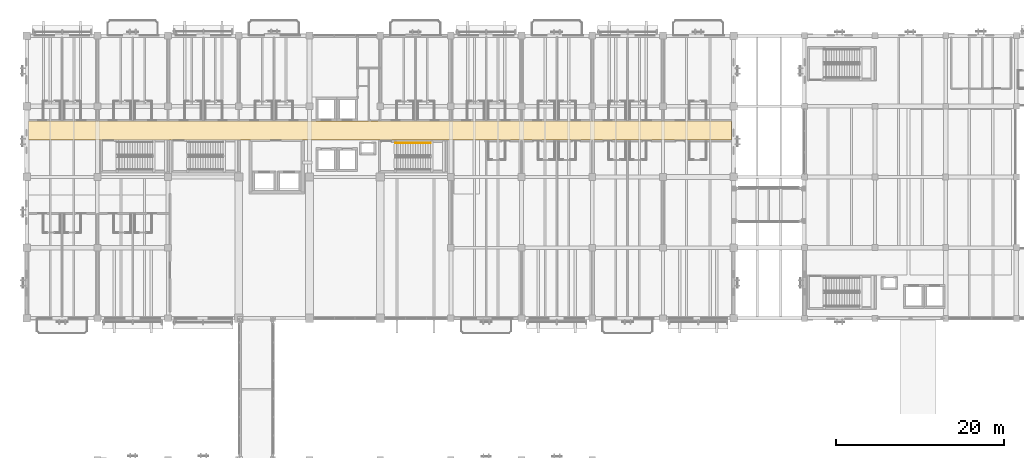
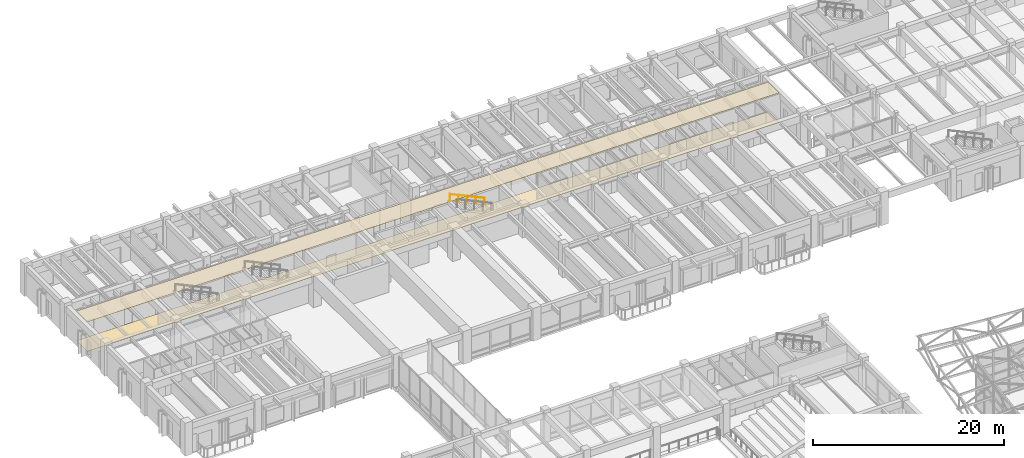
# One storey, part 117 of 132: 2 coverings, 1 railing.
"""IFC4 building model written with IfcOpenShell, lengths in metres."""

from ifc_helpers import new_model, si_unit, direction, frame, origin, origin_2d, place, context, subcontext, project, spatial, polyline, circle, outline, extrude, material, layer, layer_set, type_object, element, save


model = new_model("IFC4")

# Units and contexts
model_context = context("Model", 3, precision=1e-05, world=origin(), true_north=direction((0.0, 1.0)))
body_context = subcontext(model_context, "Body", "Model", "MODEL_VIEW")
ifc_project = project(units=[si_unit("LENGTHUNIT", "METRE"), si_unit("AREAUNIT", "SQUARE_METRE"), si_unit("VOLUMEUNIT", "CUBIC_METRE"), si_unit("PLANEANGLEUNIT", "RADIAN"), si_unit("MASSUNIT", "GRAM", prefix="KILO")], contexts=[model_context])

# Site, building, storey
site_placement = place(None, origin())
site = spatial("IfcSite", under=ifc_project, at=site_placement, CompositionType="ELEMENT")
building_placement = place(site_placement, origin())
building = spatial("IfcBuilding", under=site, at=building_placement, Name="Cumbredor Promenade Congress Hotel", CompositionType="ELEMENT")
storey_placement = place(building_placement, frame((0.0, 0.0, 7.56005859375)))
storey = spatial("IfcBuildingStorey", under=building, at=storey_placement, Name="L02", CompositionType="ELEMENT", Elevation=7.56005859375)

# Coverings
ifc_material_1 = material(Name="Acoustic mineral-fiber and gypsum ceiling")
ifc_layer_1 = layer(ifc_material_1, 0.031982421875, Name="Acoustic mineral-fiber and gypsum ceiling")
ifc_layer_set_1 = layer_set([ifc_layer_1], Name="Acoustic mineral-fiber and gypsum ceiling")
covering_type_1 = type_object("IfcCoveringType", Name="Acoustic Perforated Gypsum Ceiling CLG-04 32mm", PredefinedType="CEILING", material=ifc_layer_set_1)
covering_1_placement = place(storey_placement, frame((0.0, 0.0, 3.767822265625)))
element("IfcCovering", 1, at=covering_1_placement, inside=storey, type_object=covering_type_1, Name="L02 Hotel Guest Corridor Acoustic Ceiling", PredefinedType="CEILING", context=body_context, shape_type="SweptSolid", body=[
    extrude(outline(polyline([(0.242919921875, 107.469970703125), (83.757080078125, 107.469970703125), (83.757080078125, 105.179931640625), (0.242919921875, 105.179931640625), (0.242919921875, 107.469970703125)])), origin(), (0.0, 0.0, 1.0), 0.0322265625),
])
ifc_material_2 = material(Name="Porcelain stoneware tile", Category="masonry")
ifc_layer_2 = layer(ifc_material_2, 0.02001953125, Name="Porcelain stoneware tile", Category="masonry")
ifc_layer_set_2 = layer_set([ifc_layer_2], Name="Porcelain stoneware tile")
covering_type_2 = type_object("IfcCoveringType", Name="Porcelain Stoneware Flooring FLR-01 20mm", PredefinedType="FLOORING", material=ifc_layer_set_2)
covering_2_placement = place(storey_placement, origin())
element("IfcCovering", 2, at=covering_2_placement, inside=storey, type_object=covering_type_2, Name="L02 Hotel Guest Corridor Porcelain Flooring", PredefinedType="FLOORING", context=body_context, shape_type="SweptSolid", body=[
    extrude(outline(polyline([(0.242919921875, 107.469970703125), (83.757080078125, 107.469970703125), (83.757080078125, 105.179931640625), (0.242919921875, 105.179931640625), (0.242919921875, 107.469970703125)])), origin(), (0.0, 0.0, 1.0), 0.02001953125),
])

# Railing
ifc_material_3 = material(Name="Brushed stainless steel", Category="steel")
railing_type = type_object("IfcRailingType", Name="Stair Pitch Handrail HR-900", PredefinedType="HANDRAIL", material=ifc_material_3)
railing_placement = place(storey_placement, frame((48.0, 104.820068359375, 2.239990234375)))
element("IfcRailing", 3, at=railing_placement, inside=storey, type_object=railing_type, Name="L02 ST-03 stair handrail 2", PredefinedType="HANDRAIL", context=body_context, shape_type="SweptSolid", body=[
    extrude(circle(Radius=0.02392578125, at=origin_2d()), frame((0.0, 0.0, 0.8759765625), z_axis=(-0.906184485727, 0.0, 0.422882581609), x_axis=(0.0, -1.0, 0.0)), (0.0, 0.0, 1.0), 4.634765625),
    extrude(circle(Radius=0.02099609375, at=origin_2d()), origin(), (0.0, 0.0, 1.0), 0.851806640625),
    extrude(circle(Radius=0.02099609375, at=origin_2d()), frame((-1.050048828125, 0.0, 0.489990234375)), (0.0, 0.0, 1.0), 0.851806640625),
    extrude(circle(Radius=0.02099609375, at=origin_2d()), frame((-2.10009765625, 0.0, 0.97998046875)), (0.0, 0.0, 1.0), 0.851806640625),
    extrude(circle(Radius=0.02099609375, at=origin_2d()), frame((-3.14990234375, 0.0, 1.469970703125)), (0.0, 0.0, 1.0), 0.851806640625),
    extrude(circle(Radius=0.02099609375, at=origin_2d()), frame((-4.199951171875, 0.0, 1.9599609375)), (0.0, 0.0, 1.0), 0.851806640625),
])

save(model, "model.ifc")
